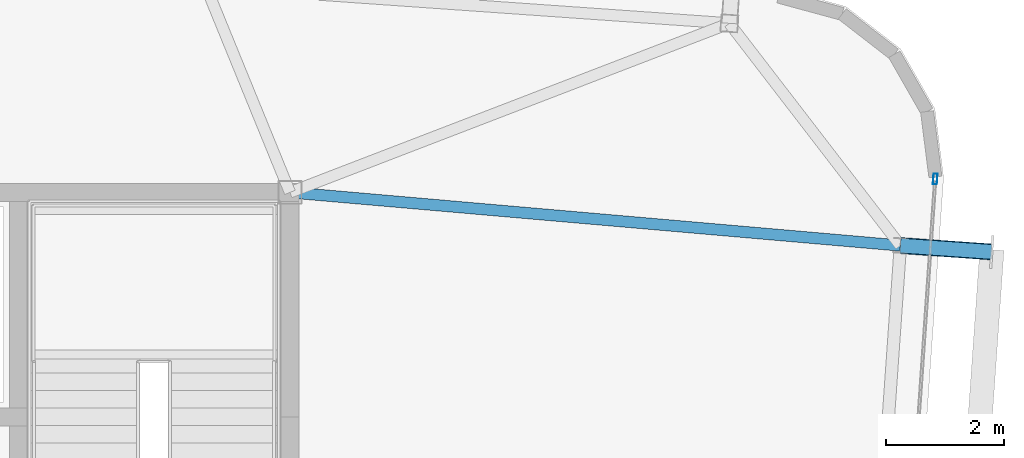
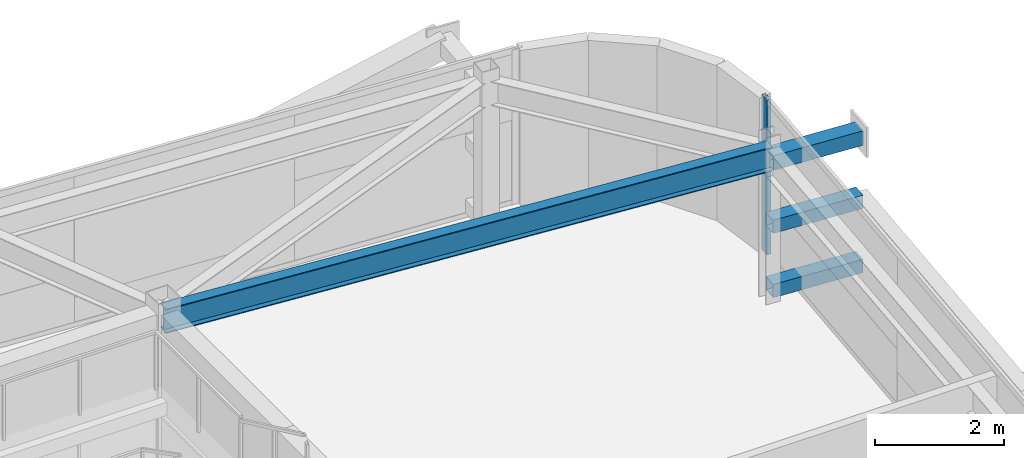
# One storey, part 18 of 39: 4 members, 1 beam, 1 element without a shape of its own.
"""IFC4 building model written with IfcOpenShell, lengths in metres."""

from ifc_helpers import new_model, si_unit, direction, frame, origin, origin_2d, place, context, subcontext, project, spatial, hollow_rectangle, i_section, extrude, source, transform, mapped, material, layer, layer_set, material_profile, profile_set, type_object, element, aggregate, save


model = new_model("IFC4")

# Units and contexts
model_context = context("Model", 3, precision=1e-05, world=origin(), true_north=direction((0.0, 1.0)))
body_context = subcontext(model_context, "Body", "Model", "MODEL_VIEW")
ifc_project = project(units=[si_unit("LENGTHUNIT", "METRE"), si_unit("AREAUNIT", "SQUARE_METRE"), si_unit("VOLUMEUNIT", "CUBIC_METRE"), si_unit("PLANEANGLEUNIT", "RADIAN"), si_unit("MASSUNIT", "GRAM", prefix="KILO")], contexts=[model_context])

# Site, building, storey
site_placement = place(None, origin())
site = spatial("IfcSite", under=ifc_project, at=site_placement, CompositionType="ELEMENT")
building_placement = place(site_placement, origin())
building = spatial("IfcBuilding", under=site, at=building_placement, Name="Taldren Reach Tower", CompositionType="ELEMENT")
storey_placement = place(building_placement, frame((0.0, 0.0, 151.89990234375)))
storey = spatial("IfcBuildingStorey", under=building, at=storey_placement, Name="L46", CompositionType="ELEMENT", Elevation=151.89990234375)

# Members
ifc_material_1 = material(Name="Steel Gr 450 (C450L0)", Category="steel")
ifc_material_profile_1 = material_profile(ifc_material_1, hollow_rectangle(XDim=0.27490234375, YDim=0.27490234375, WallThickness=0.00927734375, at=origin_2d()), Name="275x275x9.3SHS")
ifc_profile_set_1 = profile_set([ifc_material_profile_1], Name="Steel Gr 450 (C450L0)")
member_type_1 = type_object("IfcMemberType", Name="MB-TIE273", PredefinedType="STRUT", material=ifc_profile_set_1)
shared_shape_1 = source(origin(), body_context, "Body", "SweptSolid", [
    extrude(hollow_rectangle(XDim=0.27490234375, YDim=0.27490234375, WallThickness=0.00927734375, at=origin_2d()), origin(), (0.0, 0.0, 1.0), 1.550048828125),
])
member_1_placement = place(storey_placement, frame((61.3310546875, 31.1005859375, 2.650146484375), z_axis=(0.99756313426, -0.06976957191, 0.0), x_axis=(0.06976957191, 0.99756313426, 0.0)))
element("IfcMember", 1, at=member_1_placement, inside=storey, type_object=member_type_1, Name="Exoskeleton diaphragm tie strut B3-E3 L46", PredefinedType="STRUT", context=body_context, shape_type="MappedRepresentation", body=[
    mapped(shared_shape_1, transform((0.0, 0.0, 0.0), scale=1.0)),
])
ifc_material_2 = material(Name="Steel Gr 350 (C350L0)", Category="steel")
ifc_material_profile_2 = material_profile(ifc_material_2, hollow_rectangle(XDim=0.25, YDim=0.25, WallThickness=0.010009765625, at=origin_2d()), Name="250x250x10.0SHS")
ifc_profile_set_2 = profile_set([ifc_material_profile_2], Name="Steel Gr 350 (C350L0)")
member_type_2 = type_object("IfcMemberType", Name="MB-POST250", PredefinedType="POST", material=ifc_profile_set_2)
shared_shape_2 = source(origin(), body_context, "Body", "SweptSolid", [
    extrude(hollow_rectangle(XDim=0.25, YDim=0.25, WallThickness=0.010009765625, at=origin_2d()), origin(), (0.0, 0.0, 1.0), 1.550048828125),
])
for number, where, z_axis, x_axis, name in (
    (2, (61.3310546875, 31.1005859375, 0.22021484375), (0.99756313426, -0.06976957191, 0.0), (0.06976957191, 0.99756313426, 0.0), "Exoskeleton base diaphragm tie strut B3-E3 L46"),
    (3, (61.3310546875, 31.1005859375, 1.43505859375), (0.99756313426, -0.06976957191, 0.0), (0.06976957191, 0.99756313426, 0.0), "Exoskeleton mid-tier diaphragm tie B3-E3 L46"),
):
    element("IfcMember", number, at=place(storey_placement, frame(where, z_axis=z_axis, x_axis=x_axis)), inside=storey, type_object=member_type_2, Name=name, PredefinedType="POST", context=body_context, shape_type="MappedRepresentation", body=[
        mapped(shared_shape_2, transform((0.0, 0.0, 0.0), scale=1.0)),
    ])

# Beam
ifc_material_3 = material(Name="Steel Gr 350 (350PLUS)", Category="steel")
ifc_material_profile_3 = material_profile(ifc_material_3, i_section(OverallWidth=0.19091796875, OverallDepth=0.4599609375, WebThickness=0.010009765625, FlangeThickness=0.01611328125, at=origin_2d()), Name="460UB82.1")
ifc_profile_set_3 = profile_set([ifc_material_profile_3], Name="Steel Gr 350 (350PLUS)")
beam_type = type_object("IfcBeamType", Name="BM-UB460A", PredefinedType="BEAM", material=ifc_profile_set_3)
shared_shape_3 = source(origin(), body_context, "Body", "SweptSolid", [
    extrude(i_section(OverallWidth=0.19091796875, OverallDepth=0.4599609375, WebThickness=0.010009765625, FlangeThickness=0.01611328125, at=origin_2d()), origin(), (0.0, 0.0, 1.0), 10.3701171875),
])
beam_placement = place(storey_placement, frame((51.0, 32.0, 2.7001953125), z_axis=(0.996231748992, -0.086731207186, 0.0), x_axis=(0.086731207186, 0.996231748992, 0.0)))
element("IfcBeam", 4, at=beam_placement, inside=storey, type_object=beam_type, Name="Primary floor girder B3-E3 L46", PredefinedType="BEAM", context=body_context, shape_type="MappedRepresentation", body=[
    mapped(shared_shape_3, transform((0.0, 0.0, 0.0), scale=1.0)),
])

# Curtain wall, member
ifc_material_4 = material(Name="Aluminium and Low-E Glass Unitised System", Category="aluminium")
ifc_layer = layer(ifc_material_4, 0.159912109375)
ifc_layer_set = layer_set([ifc_layer], Name="Aluminium and Low-E Glass Unitised System")
curtain_wall_type = type_object("IfcCurtainWallType", Name="CW-SYS-4", PredefinedType="NOTDEFINED", material=ifc_layer_set)
curtain_wall_placement = place(storey_placement, origin())
curtain_wall = element("IfcCurtainWall", 5, at=curtain_wall_placement, inside=storey, type_object=curtain_wall_type, Name="Unitised curtain wall CW-L46-E", PredefinedType="NOTDEFINED")
ifc_material_5 = material(Name="Anodised Aluminium 6063-T6", Category="aluminium")
ifc_material_profile_4 = material_profile(ifc_material_5, hollow_rectangle(XDim=0.070068359375, YDim=0.179931640625, WallThickness=0.00390625, at=origin_2d()), Name="ALU-180x70x4RHS")
ifc_profile_set_4 = profile_set([ifc_material_profile_4], Name="Anodised Aluminium 6063-T6")
member_type_3 = type_object("IfcMemberType", Name="CW-MUL-180", PredefinedType="MULLION", material=ifc_profile_set_4)
shared_shape_4 = source(origin(), body_context, "Body", "SweptSolid", [
    extrude(hollow_rectangle(XDim=0.070068359375, YDim=0.179931640625, WallThickness=0.00390625, at=origin_2d()), origin(), (0.0, 0.0, 1.0), 2.93017578125),
])
member_2_placement = place(storey_placement, frame((61.921142578125, 32.22705078125, 0.0), z_axis=(0.0, 0.0, 1.0), x_axis=(-0.997564052812, 0.069756437251, 0.0)))
member_2 = element("IfcMember", 6, at=member_2_placement, type_object=member_type_3, Name="CW-4 mullion 3", PredefinedType="MULLION", context=body_context, shape_type="MappedRepresentation", body=[
    mapped(shared_shape_4, transform((0.0, 0.0, 0.0), scale=1.0)),
])
aggregate(curtain_wall, [member_2])

save(model, "model.ifc")
